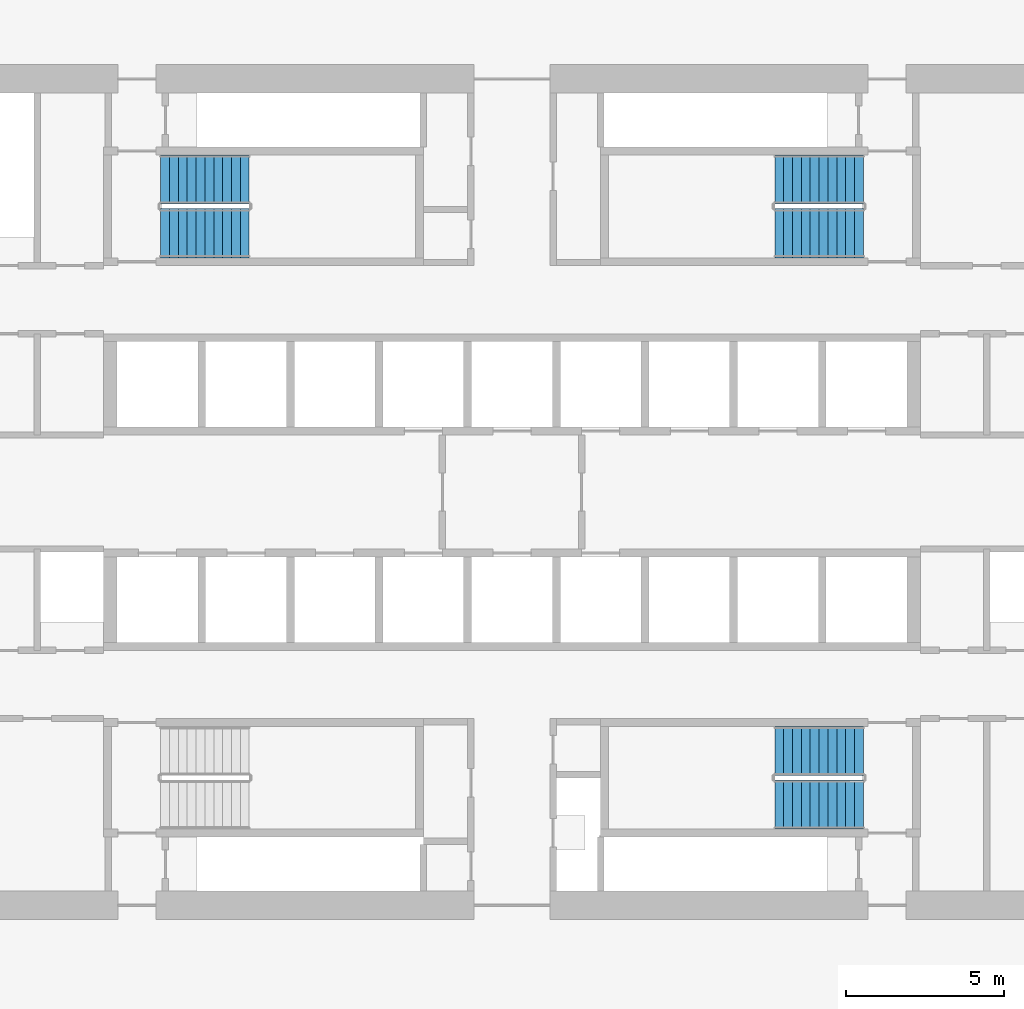
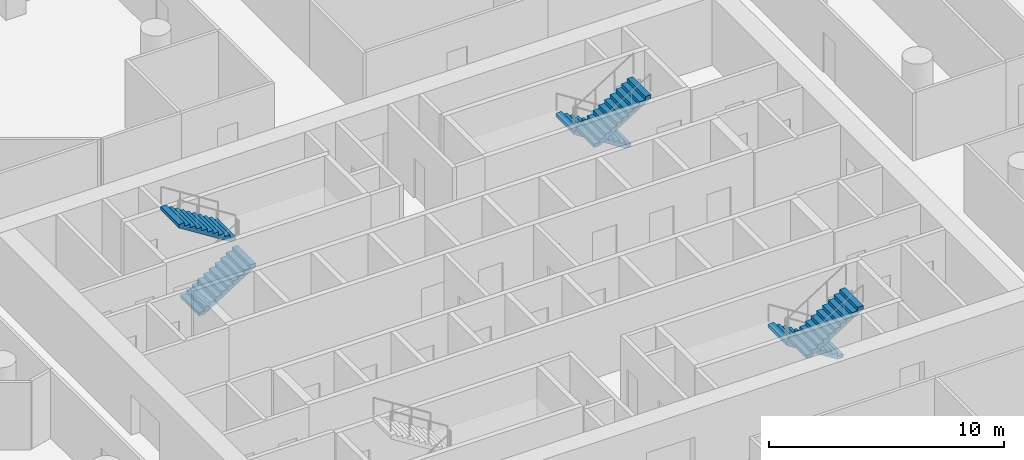
# One storey, part 9 of 10: 6 stair flights, 3 elements without a shape of their own.
"""IFC4 building model written with IfcOpenShell, lengths in metres."""

from ifc_helpers import new_model, si_unit, direction, frame, origin, place, context, subcontext, project, spatial, polyline, outline, extrude, material, type_object, element, aggregate, save


model = new_model("IFC4")

# Units and contexts
model_context = context("Model", 3, precision=1e-05, world=origin(), true_north=direction((0.0, 1.0)))
body_context = subcontext(model_context, "Body", "Model", "MODEL_VIEW")
ifc_project = project(units=[si_unit("LENGTHUNIT", "METRE"), si_unit("AREAUNIT", "SQUARE_METRE"), si_unit("VOLUMEUNIT", "CUBIC_METRE"), si_unit("PLANEANGLEUNIT", "RADIAN"), si_unit("MASSUNIT", "GRAM", prefix="KILO")], contexts=[model_context])

# Site, building, storey
site_placement = place(None, origin())
site = spatial("IfcSite", under=ifc_project, at=site_placement, CompositionType="ELEMENT")
building_placement = place(site_placement, origin())
building = spatial("IfcBuilding", under=site, at=building_placement, Name="Dhurran Vertical Campus", CompositionType="ELEMENT")
storey_placement = place(building_placement, frame((0.0, 0.0, 85.199951171875)))
storey = spatial("IfcBuildingStorey", under=building, at=storey_placement, Name="L20", CompositionType="ELEMENT", Elevation=85.199951171875)

# Stair, stair flights
ifc_material_1 = material(Name="Concrete C40/50", Category="concrete")
stair_type = type_object("IfcStairType", Name="co-ST-CORE", PredefinedType="HALF_TURN_STAIR", material=ifc_material_1)
stair_1_placement = place(storey_placement, origin())
stair_1 = element("IfcStair", 1, at=stair_1_placement, inside=storey, type_object=stair_type, Name="L20 Protected exit stair ST1", PredefinedType="HALF_TURN_STAIR")
ifc_material_2 = material(Name="Concrete C40/50", Category="concrete")
stair_flight_type = type_object("IfcStairFlightType", Name="co-SFL-RC", PredefinedType="STRAIGHT", material=ifc_material_2)
stair_flight_1_placement = place(storey_placement, frame((-11.10009765625, 8.175048828125, 0.0), z_axis=(0.0, 0.0, 1.0), x_axis=(1.0, 0.0, 0.0)))
stair_flight_1 = element("IfcStairFlight", 2, at=stair_flight_1_placement, type_object=stair_flight_type, Name="ST1 flight 1", NumberOfRisers=11, NumberOfTreads=10, PredefinedType="STRAIGHT", RiserHeight=0.177272727, TreadLength=0.28, context=body_context, shape_type="SweptSolid", body=[
    extrude(outline(polyline([(0.0, 0.0), (0.0, 0.17724609375), (0.280029296875, 0.17724609375), (0.280029296875, 0.3544921875), (0.56005859375, 0.3544921875), (0.56005859375, 0.53173828125), (0.840087890625, 0.53173828125), (0.840087890625, 0.708984375), (1.1201171875, 0.708984375), (1.1201171875, 0.886474609375), (1.39990234375, 0.886474609375), (1.39990234375, 1.063720703125), (1.679931640625, 1.063720703125), (1.679931640625, 1.240966796875), (1.9599609375, 1.240966796875), (1.9599609375, 1.418212890625), (2.239990234375, 1.418212890625), (2.239990234375, 1.595458984375), (2.52001953125, 1.595458984375), (2.52001953125, 1.772705078125), (2.800048828125, 1.772705078125), (2.800048828125, 1.949951171875), (2.800048828125, 1.59521484375), (0.2802734375, 0.0), (0.0, 0.0)])), frame((0.0, 0.77490234375, 0.0), z_axis=(0.0, -1.0, 0.0), x_axis=(1.0, 0.0, 0.0)), (0.0, 0.0, 1.0), 1.550048828125),
])
stair_flight_2_placement = place(storey_placement, frame((-8.300048828125, 9.875, 1.949951171875), z_axis=(0.0, 0.0, 1.0), x_axis=(-1.0, 0.0, 0.0)))
stair_flight_2 = element("IfcStairFlight", 3, at=stair_flight_2_placement, type_object=stair_flight_type, Name="ST1 flight 2", NumberOfRisers=11, NumberOfTreads=10, PredefinedType="STRAIGHT", RiserHeight=0.177272727, TreadLength=0.28, context=body_context, shape_type="SweptSolid", body=[
    extrude(outline(polyline([(0.0, 0.0), (0.0, 0.17724609375), (0.280029296875, 0.17724609375), (0.280029296875, 0.3544921875), (0.56005859375, 0.3544921875), (0.56005859375, 0.53173828125), (0.840087890625, 0.53173828125), (0.840087890625, 0.708984375), (1.1201171875, 0.708984375), (1.1201171875, 0.886474609375), (1.39990234375, 0.886474609375), (1.39990234375, 1.063720703125), (1.679931640625, 1.063720703125), (1.679931640625, 1.240966796875), (1.9599609375, 1.240966796875), (1.9599609375, 1.418212890625), (2.239990234375, 1.418212890625), (2.239990234375, 1.595458984375), (2.52001953125, 1.595458984375), (2.52001953125, 1.772705078125), (2.800048828125, 1.772705078125), (2.800048828125, 1.949951171875), (2.800048828125, 1.59521484375), (0.2802734375, 0.0), (0.0, 0.0)])), frame((0.0, 0.77490234375, 0.0), z_axis=(0.0, -1.0, 0.0), x_axis=(1.0, 0.0, 0.0)), (0.0, 0.0, 1.0), 1.550048828125),
])
aggregate(stair_1, [stair_flight_1, stair_flight_2])

stair_2_placement = place(storey_placement, origin())
stair_2 = element("IfcStair", 4, at=stair_2_placement, inside=storey, type_object=stair_type, Name="L20 Protected exit stair ST2", PredefinedType="HALF_TURN_STAIR")
stair_flight_3_placement = place(storey_placement, frame((11.10009765625, 9.875, 0.0), z_axis=(0.0, 0.0, 1.0), x_axis=(-1.0, 0.0, 0.0)))
stair_flight_3 = element("IfcStairFlight", 5, at=stair_flight_3_placement, type_object=stair_flight_type, Name="ST2 flight 1", NumberOfRisers=11, NumberOfTreads=10, PredefinedType="STRAIGHT", RiserHeight=0.177272727, TreadLength=0.28, context=body_context, shape_type="SweptSolid", body=[
    extrude(outline(polyline([(0.0, 0.0), (0.0, 0.17724609375), (0.280029296875, 0.17724609375), (0.280029296875, 0.3544921875), (0.56005859375, 0.3544921875), (0.56005859375, 0.53173828125), (0.840087890625, 0.53173828125), (0.840087890625, 0.708984375), (1.1201171875, 0.708984375), (1.1201171875, 0.886474609375), (1.39990234375, 0.886474609375), (1.39990234375, 1.063720703125), (1.679931640625, 1.063720703125), (1.679931640625, 1.240966796875), (1.9599609375, 1.240966796875), (1.9599609375, 1.418212890625), (2.239990234375, 1.418212890625), (2.239990234375, 1.595458984375), (2.52001953125, 1.595458984375), (2.52001953125, 1.772705078125), (2.800048828125, 1.772705078125), (2.800048828125, 1.949951171875), (2.800048828125, 1.59521484375), (0.2802734375, 0.0), (0.0, 0.0)])), frame((0.0, 0.77490234375, 0.0), z_axis=(0.0, -1.0, 0.0), x_axis=(1.0, 0.0, 0.0)), (0.0, 0.0, 1.0), 1.550048828125),
])
stair_flight_4_placement = place(storey_placement, frame((8.300048828125, 8.175048828125, 1.949951171875), z_axis=(0.0, 0.0, 1.0), x_axis=(1.0, 0.0, 0.0)))
stair_flight_4 = element("IfcStairFlight", 6, at=stair_flight_4_placement, type_object=stair_flight_type, Name="ST2 flight 2", NumberOfRisers=11, NumberOfTreads=10, PredefinedType="STRAIGHT", RiserHeight=0.177272727, TreadLength=0.28, context=body_context, shape_type="SweptSolid", body=[
    extrude(outline(polyline([(0.0, 0.0), (0.0, 0.17724609375), (0.280029296875, 0.17724609375), (0.280029296875, 0.3544921875), (0.56005859375, 0.3544921875), (0.56005859375, 0.53173828125), (0.840087890625, 0.53173828125), (0.840087890625, 0.708984375), (1.1201171875, 0.708984375), (1.1201171875, 0.886474609375), (1.39990234375, 0.886474609375), (1.39990234375, 1.063720703125), (1.679931640625, 1.063720703125), (1.679931640625, 1.240966796875), (1.9599609375, 1.240966796875), (1.9599609375, 1.418212890625), (2.239990234375, 1.418212890625), (2.239990234375, 1.595458984375), (2.52001953125, 1.595458984375), (2.52001953125, 1.772705078125), (2.800048828125, 1.772705078125), (2.800048828125, 1.949951171875), (2.800048828125, 1.59521484375), (0.2802734375, 0.0), (0.0, 0.0)])), frame((0.0, 0.77490234375, 0.0), z_axis=(0.0, -1.0, 0.0), x_axis=(1.0, 0.0, 0.0)), (0.0, 0.0, 1.0), 1.550048828125),
])
aggregate(stair_2, [stair_flight_3, stair_flight_4])

stair_3_placement = place(storey_placement, origin())
stair_3 = element("IfcStair", 7, at=stair_3_placement, inside=storey, type_object=stair_type, Name="L20 Protected exit stair ST4", PredefinedType="HALF_TURN_STAIR")
stair_flight_5_placement = place(storey_placement, frame((11.10009765625, -8.175048828125, 0.0), z_axis=(0.0, 0.0, 1.0), x_axis=(-1.0, 0.0, 0.0)))
stair_flight_5 = element("IfcStairFlight", 8, at=stair_flight_5_placement, type_object=stair_flight_type, Name="ST4 flight 1", NumberOfRisers=11, NumberOfTreads=10, PredefinedType="STRAIGHT", RiserHeight=0.177272727, TreadLength=0.28, context=body_context, shape_type="SweptSolid", body=[
    extrude(outline(polyline([(0.0, 0.0), (0.0, 0.17724609375), (0.280029296875, 0.17724609375), (0.280029296875, 0.3544921875), (0.56005859375, 0.3544921875), (0.56005859375, 0.53173828125), (0.840087890625, 0.53173828125), (0.840087890625, 0.708984375), (1.1201171875, 0.708984375), (1.1201171875, 0.886474609375), (1.39990234375, 0.886474609375), (1.39990234375, 1.063720703125), (1.679931640625, 1.063720703125), (1.679931640625, 1.240966796875), (1.9599609375, 1.240966796875), (1.9599609375, 1.418212890625), (2.239990234375, 1.418212890625), (2.239990234375, 1.595458984375), (2.52001953125, 1.595458984375), (2.52001953125, 1.772705078125), (2.800048828125, 1.772705078125), (2.800048828125, 1.949951171875), (2.800048828125, 1.59521484375), (0.2802734375, 0.0), (0.0, 0.0)])), frame((0.0, 0.77490234375, 0.0), z_axis=(0.0, -1.0, 0.0), x_axis=(1.0, 0.0, 0.0)), (0.0, 0.0, 1.0), 1.550048828125),
])
stair_flight_6_placement = place(storey_placement, frame((8.300048828125, -9.875, 1.949951171875), z_axis=(0.0, 0.0, 1.0), x_axis=(1.0, 0.0, 0.0)))
stair_flight_6 = element("IfcStairFlight", 9, at=stair_flight_6_placement, type_object=stair_flight_type, Name="ST4 flight 2", NumberOfRisers=11, NumberOfTreads=10, PredefinedType="STRAIGHT", RiserHeight=0.177272727, TreadLength=0.28, context=body_context, shape_type="SweptSolid", body=[
    extrude(outline(polyline([(0.0, 0.0), (0.0, 0.17724609375), (0.280029296875, 0.17724609375), (0.280029296875, 0.3544921875), (0.56005859375, 0.3544921875), (0.56005859375, 0.53173828125), (0.840087890625, 0.53173828125), (0.840087890625, 0.708984375), (1.1201171875, 0.708984375), (1.1201171875, 0.886474609375), (1.39990234375, 0.886474609375), (1.39990234375, 1.063720703125), (1.679931640625, 1.063720703125), (1.679931640625, 1.240966796875), (1.9599609375, 1.240966796875), (1.9599609375, 1.418212890625), (2.239990234375, 1.418212890625), (2.239990234375, 1.595458984375), (2.52001953125, 1.595458984375), (2.52001953125, 1.772705078125), (2.800048828125, 1.772705078125), (2.800048828125, 1.949951171875), (2.800048828125, 1.59521484375), (0.2802734375, 0.0), (0.0, 0.0)])), frame((0.0, 0.77490234375, 0.0), z_axis=(0.0, -1.0, 0.0), x_axis=(1.0, 0.0, 0.0)), (0.0, 0.0, 1.0), 1.550048828125),
])
aggregate(stair_3, [stair_flight_5, stair_flight_6])

save(model, "model.ifc")
